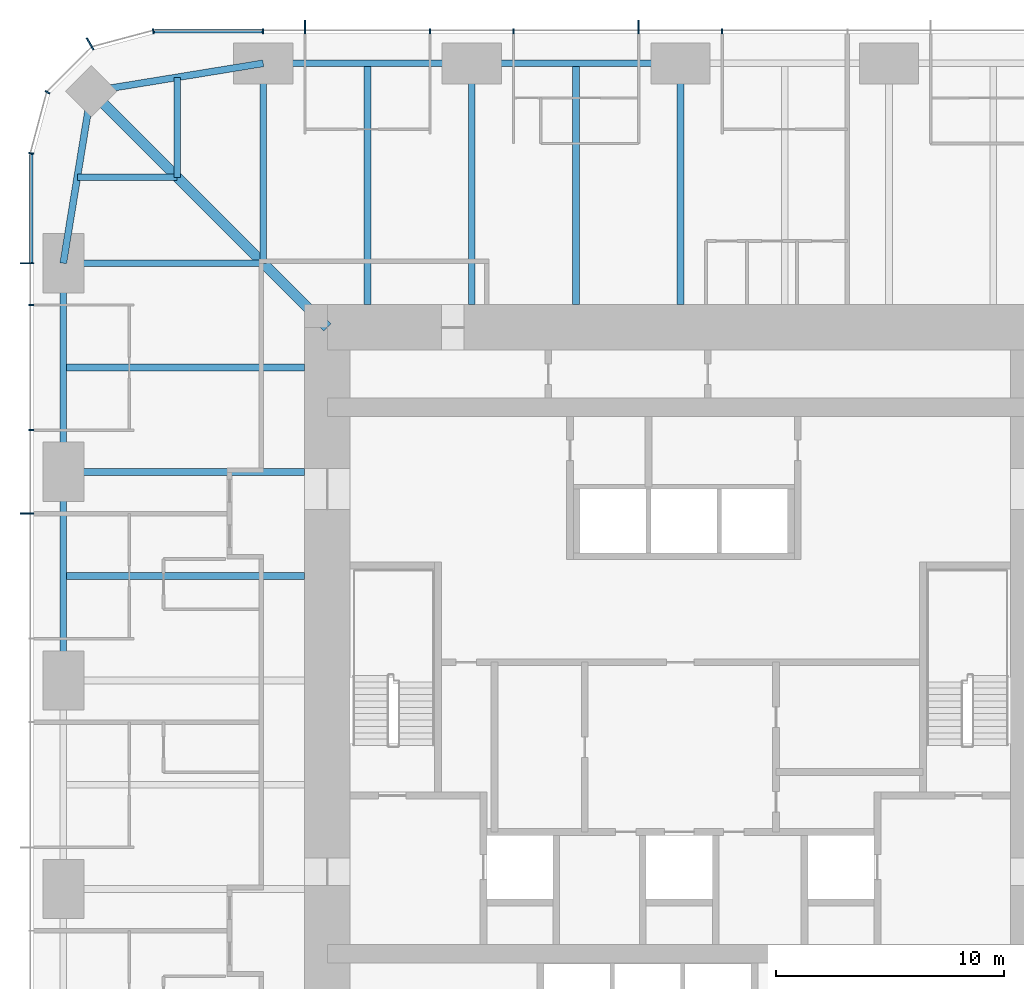
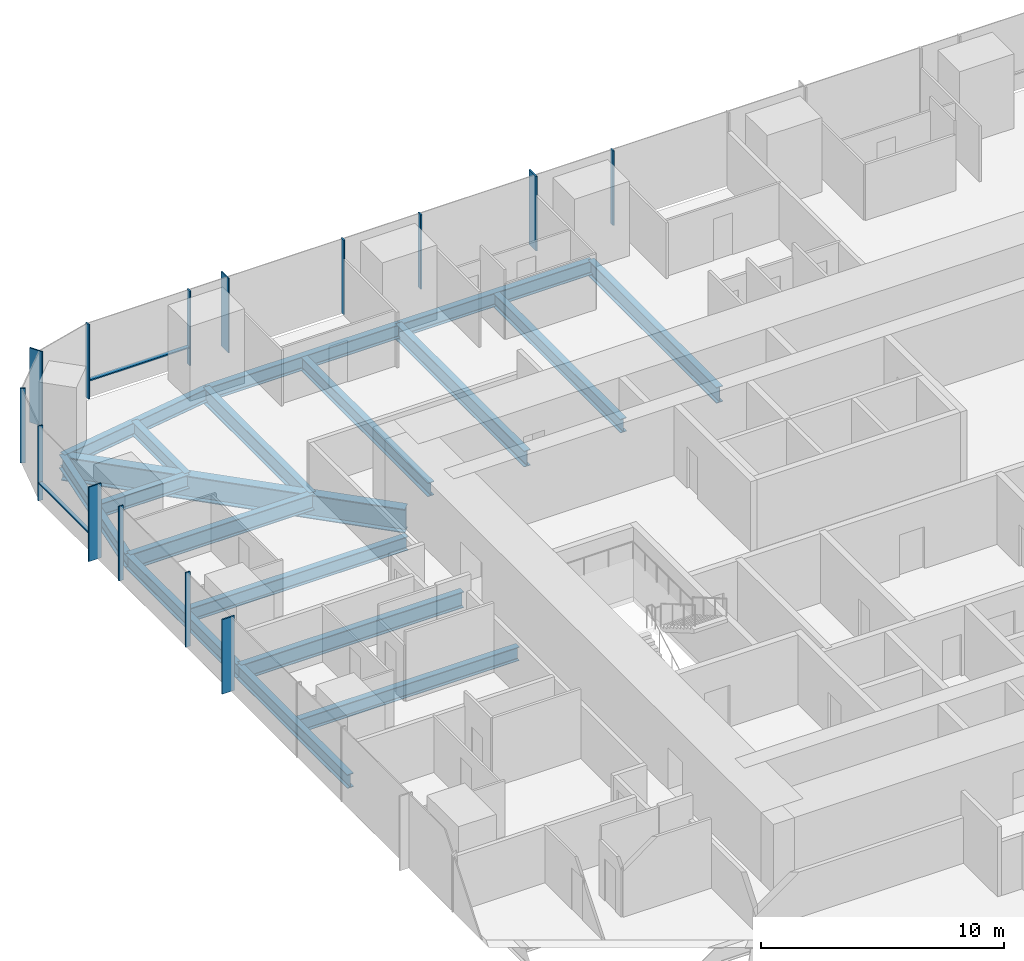
# One storey, part 5 of 13: 18 beams, 16 members, 3 elements without a shape of their own.
"""IFC4 building model written with IfcOpenShell, lengths in metres."""

from ifc_helpers import new_model, si_unit, direction, frame, origin, origin_2d, place, context, subcontext, project, spatial, rectangle, i_section, extrude, material, material_profile, profile_set, type_object, element, aggregate, save


model = new_model("IFC4")

# Units and contexts
model_context = context("Model", 3, precision=1e-05, world=origin(), true_north=direction((0.0, 1.0)))
body_context = subcontext(model_context, "Body", "Model", "MODEL_VIEW")
ifc_project = project(units=[si_unit("LENGTHUNIT", "METRE"), si_unit("AREAUNIT", "SQUARE_METRE"), si_unit("VOLUMEUNIT", "CUBIC_METRE"), si_unit("PLANEANGLEUNIT", "RADIAN"), si_unit("MASSUNIT", "GRAM", prefix="KILO")], contexts=[model_context])

# Site, building, storey
site_placement = place(None, origin())
site = spatial("IfcSite", under=ifc_project, at=site_placement, CompositionType="ELEMENT")
building_placement = place(site_placement, origin())
building = spatial("IfcBuilding", under=site, at=building_placement, Name="Khuree Lantern Residences", CompositionType="ELEMENT")
storey_placement = place(building_placement, frame((0.0, 0.0, 159.75)))
storey = spatial("IfcBuildingStorey", under=building, at=storey_placement, Name="L40", CompositionType="ELEMENT", Elevation=159.75)

# Beams
ifc_material_1 = material(Name="Steel S355", Category="steel")
ifc_material_profile_1 = material_profile(ifc_material_1, i_section(OverallWidth=0.300048828125, OverallDepth=0.68994140625, WebThickness=0.014404296875, FlangeThickness=0.027099609375, FilletRadius=0.027099609375, at=origin_2d()), Name="HE 700 A")
ifc_profile_set_1 = profile_set([ifc_material_profile_1], Name="Steel S355")
beam_type_1 = type_object("IfcBeamType", Name="B-24 SECONDARY BEAM HE 700 A", PredefinedType="BEAM", material=ifc_profile_set_1)
for number, where, z_axis, x_axis, name in (
    (1, (-13.739990234375, 27.10009765625, -0.594970703125), (0.0, -1.0, 0.0), (1.0, 0.0, 0.0), "Secondary beam N1"),
    (2, (-4.580078125, 27.10009765625, -0.594970703125), (0.0, -1.0, 0.0), (1.0, 0.0, 0.0), "Secondary beam N2"),
    (3, (-27.10009765625, 4.580078125, -0.594970703125), (1.0, 0.0, 0.0), (0.0, 1.0, 0.0), "Secondary beam W4"),
    (4, (-27.10009765625, 13.739990234375, -0.594970703125), (1.0, 0.0, 0.0), (0.0, 1.0, 0.0), "Secondary beam W5"),
):
    element("IfcBeam", number, at=place(storey_placement, frame(where, z_axis=z_axis, x_axis=x_axis)), inside=storey, type_object=beam_type_1, Name=name, PredefinedType="BEAM", context=body_context, shape_type="SweptSolid", body=[
        extrude(i_section(OverallWidth=0.300048828125, OverallDepth=0.68994140625, WebThickness=0.014404296875, FlangeThickness=0.027099609375, FilletRadius=0.027099609375, at=origin_2d()), origin(), (0.0, 0.0, 1.0), 10.60009765625),
    ])
for number, where, z_axis, x_axis, name in (
    (5, (-26.48486328125, 22.094970703125, -0.594970703125), (1.0, 0.0, 0.0), (0.0, 1.0, 0.0), "Secondary beam W6"),
    (6, (-22.094970703125, 26.48486328125, -0.594970703125), (0.0, -1.0, 0.0), (1.0, 0.0, 0.0), "Secondary beam N6"),
):
    element("IfcBeam", number, at=place(storey_placement, frame(where, z_axis=z_axis, x_axis=x_axis)), inside=storey, type_object=beam_type_1, Name=name, PredefinedType="BEAM", context=body_context, shape_type="SweptSolid", body=[
        extrude(i_section(OverallWidth=0.300048828125, OverallDepth=0.68994140625, WebThickness=0.014404296875, FlangeThickness=0.027099609375, FilletRadius=0.027099609375, at=origin_2d()), origin(), (0.0, 0.0, 1.0), 4.389892578125),
    ])
ifc_material_profile_2 = material_profile(ifc_material_1, i_section(OverallWidth=0.300048828125, OverallDepth=0.68994140625, WebThickness=0.014404296875, FlangeThickness=0.027099609375, FilletRadius=0.027099609375, at=origin_2d()), Name="HE 700 A")
ifc_profile_set_2 = profile_set([ifc_material_profile_2], Name="Steel S355")
beam_type_2 = type_object("IfcBeamType", Name="E-24 SPANDREL BEAM HE 700 A", PredefinedType="SPANDREL", material=ifc_profile_set_2)
beam_1_placement = place(storey_placement, frame((-18.320068359375, 27.10009765625, -0.594970703125), z_axis=(1.0, 0.0, 0.0), x_axis=(0.0, 1.0, 0.0)))
element("IfcBeam", 7, at=beam_1_placement, inside=storey, type_object=beam_type_2, Name="Spandrel beam N1", PredefinedType="SPANDREL", context=body_context, shape_type="SweptSolid", body=[
    extrude(i_section(OverallWidth=0.300048828125, OverallDepth=0.68994140625, WebThickness=0.014404296875, FlangeThickness=0.027099609375, FilletRadius=0.027099609375, at=origin_2d()), origin(), (0.0, 0.0, 1.0), 9.16015625),
])
for number, where, z_axis, x_axis, name in (
    (8, (-9.159912109375, 27.10009765625, -0.594970703125), (1.0, 0.0, 0.0), (0.0, 1.0, 0.0), "Spandrel beam N2"),
    (9, (-27.10009765625, 0.0, -0.594970703125), (0.0, 1.0, 0.0), (-1.0, 0.0, 0.0), "Spandrel beam W4"),
):
    element("IfcBeam", number, at=place(storey_placement, frame(where, z_axis=z_axis, x_axis=x_axis)), inside=storey, type_object=beam_type_2, Name=name, PredefinedType="SPANDREL", context=body_context, shape_type="SweptSolid", body=[
        extrude(i_section(OverallWidth=0.300048828125, OverallDepth=0.68994140625, WebThickness=0.014404296875, FlangeThickness=0.027099609375, FilletRadius=0.027099609375, at=origin_2d()), origin(), (0.0, 0.0, 1.0), 9.159912109375),
    ])
beam_2_placement = place(storey_placement, frame((-27.10009765625, 9.159912109375, -0.594970703125), z_axis=(0.0, 1.0, 0.0), x_axis=(-1.0, 0.0, 0.0)))
element("IfcBeam", 10, at=beam_2_placement, inside=storey, type_object=beam_type_2, Name="Spandrel beam W5", PredefinedType="SPANDREL", context=body_context, shape_type="SweptSolid", body=[
    extrude(i_section(OverallWidth=0.300048828125, OverallDepth=0.68994140625, WebThickness=0.014404296875, FlangeThickness=0.027099609375, FilletRadius=0.027099609375, at=origin_2d()), origin(), (0.0, 0.0, 1.0), 9.16015625),
])
for number, where, z_axis, x_axis, name in (
    (11, (-27.10009765625, 18.320068359375, -0.594970703125), (0.160826723833, 0.986982656839, 0.0), (-0.986982656839, 0.160826723833, 0.0), "Spandrel beam W6"),
    (12, (-25.869873046875, 25.869873046875, -0.594970703125), (0.986982656839, 0.160826723833, 0.0), (-0.160826723833, 0.986982656839, 0.0), "Spandrel beam N6"),
):
    element("IfcBeam", number, at=place(storey_placement, frame(where, z_axis=z_axis, x_axis=x_axis)), inside=storey, type_object=beam_type_2, Name=name, PredefinedType="SPANDREL", context=body_context, shape_type="SweptSolid", body=[
        extrude(i_section(OverallWidth=0.300048828125, OverallDepth=0.68994140625, WebThickness=0.014404296875, FlangeThickness=0.027099609375, FilletRadius=0.027099609375, at=origin_2d()), origin(), (0.0, 0.0, 1.0), 7.6494140625),
    ])

# Curtain wall, members
ifc_material_2 = material(Name="Bronze anodised aluminium", Category="aluminium")
curtain_wall_type_1 = type_object("IfcCurtainWallType", Name="CW-T1 TOWER FACE CURTAIN WALL", PredefinedType="USERDEFINED", material=ifc_material_2)
curtain_wall_1_placement = place(storey_placement, origin())
curtain_wall_1 = element("IfcCurtainWall", 13, at=curtain_wall_1_placement, inside=storey, type_object=curtain_wall_type_1, Name="L40 NORTH FACE CURTAIN WALL", ObjectType="Stick-built curtain wall", PredefinedType="USERDEFINED")
ifc_material_profile_3 = material_profile(ifc_material_2, rectangle(XDim=0.06494140625, YDim=0.60009765625, at=origin_2d()), Name="F1 65X600")
ifc_profile_set_3 = profile_set([ifc_material_profile_3], Name="Bronze anodised aluminium")
member_type_1 = type_object("IfcMemberType", Name="F1 BRONZE FIN MULLION TOWER 65X600", PredefinedType="MULLION", material=ifc_profile_set_3)
member_1_placement = place(storey_placement, frame((-1.83203125, 28.699951171875, 0.0), z_axis=(0.0, 0.0, 1.0), x_axis=(-1.0, 0.0, 0.0)))
member_1 = element("IfcMember", 14, at=member_1_placement, type_object=member_type_1, Name="L40 NORTH FACE FIN MULLION 24", PredefinedType="MULLION", context=body_context, shape_type="SweptSolid", body=[
    extrude(rectangle(XDim=0.06494140625, YDim=0.60009765625, at=origin_2d()), origin(), (0.0, 0.0, 1.0), 3.75),
])
member_2_placement = place(storey_placement, frame((-16.488037109375, 28.699951171875, 0.0), z_axis=(0.0, 0.0, 1.0), x_axis=(-1.0, 0.0, 0.0)))
member_2 = element("IfcMember", 15, at=member_2_placement, type_object=member_type_1, Name="L40 NORTH FACE FIN MULLION 27", PredefinedType="MULLION", context=body_context, shape_type="SweptSolid", body=[
    extrude(rectangle(XDim=0.06494140625, YDim=0.60009765625, at=origin_2d()), origin(), (0.0, 0.0, 1.0), 3.75),
])

# Curtain wall, member
curtain_wall_type_2 = type_object("IfcCurtainWallType", Name="CW-T2 TOWER CORNER CURTAIN WALL", PredefinedType="USERDEFINED", material=ifc_material_2)
curtain_wall_2_placement = place(storey_placement, origin())
curtain_wall_2 = element("IfcCurtainWall", 16, at=curtain_wall_2_placement, inside=storey, type_object=curtain_wall_type_2, Name="L40 NORTH-WEST CORNER CURTAIN WALL", ObjectType="Faceted corner curtain wall", PredefinedType="USERDEFINED")
member_3_placement = place(storey_placement, frame((-25.925048828125, 27.95654296875, 0.0), z_axis=(0.0, 0.0, 1.0), x_axis=(-0.866025388199, -0.500000026995, 0.0)))
member_3 = element("IfcMember", 17, at=member_3_placement, type_object=member_type_1, Name="L40 NORTH-WEST CORNER FIN MULLION 30", PredefinedType="MULLION", context=body_context, shape_type="SweptSolid", body=[
    extrude(rectangle(XDim=0.06494140625, YDim=0.60009765625, at=origin_2d()), origin(), (0.0, 0.0, 1.0), 3.75),
])

# Curtain wall, members
curtain_wall_3_placement = place(storey_placement, origin())
curtain_wall_3 = element("IfcCurtainWall", 18, at=curtain_wall_3_placement, inside=storey, type_object=curtain_wall_type_1, Name="L40 WEST FACE CURTAIN WALL", ObjectType="Stick-built curtain wall", PredefinedType="USERDEFINED")
member_4_placement = place(storey_placement, frame((-28.699951171875, 18.320068359375, 0.0), z_axis=(0.0, 0.0, 1.0), x_axis=(0.0, -1.0, 0.0)))
member_4 = element("IfcMember", 19, at=member_4_placement, type_object=member_type_1, Name="L40 WEST FACE FIN MULLION 33", PredefinedType="MULLION", context=body_context, shape_type="SweptSolid", body=[
    extrude(rectangle(XDim=0.06494140625, YDim=0.60009765625, at=origin_2d()), origin(), (0.0, 0.0, 1.0), 3.75),
])
member_5_placement = place(storey_placement, frame((-28.699951171875, 7.327880859375, 0.0), z_axis=(0.0, 0.0, 1.0), x_axis=(0.0, -1.0, 0.0)))
member_5 = element("IfcMember", 20, at=member_5_placement, type_object=member_type_1, Name="L40 WEST FACE FIN MULLION 36", PredefinedType="MULLION", context=body_context, shape_type="SweptSolid", body=[
    extrude(rectangle(XDim=0.06494140625, YDim=0.60009765625, at=origin_2d()), origin(), (0.0, 0.0, 1.0), 3.75),
])

# Beams
ifc_material_profile_4 = material_profile(ifc_material_1, i_section(OverallWidth=0.300048828125, OverallDepth=0.800048828125, WebThickness=0.017578125, FlangeThickness=0.032958984375, FilletRadius=0.030029296875, at=origin_2d()), Name="HE 800 B")
ifc_profile_set_4 = profile_set([ifc_material_profile_4], Name="Steel S355")
beam_type_3 = type_object("IfcBeamType", Name="G-24 GIRDER HE 800 B", PredefinedType="BEAM", material=ifc_profile_set_4)
beam_3_placement = place(storey_placement, frame((-18.320068359375, 27.10009765625, -0.64990234375), z_axis=(0.0, -1.0, 0.0), x_axis=(1.0, 0.0, 0.0)))
element("IfcBeam", 21, at=beam_3_placement, inside=storey, type_object=beam_type_3, Name="Girder N1", PredefinedType="BEAM", context=body_context, shape_type="SweptSolid", body=[
    extrude(i_section(OverallWidth=0.300048828125, OverallDepth=0.800048828125, WebThickness=0.017578125, FlangeThickness=0.032958984375, FilletRadius=0.030029296875, at=origin_2d()), origin(), (0.0, 0.0, 1.0), 8.780029296875),
])
for number, where, z_axis, x_axis, name in (
    (22, (-9.159912109375, 27.10009765625, -0.64990234375), (0.0, -1.0, 0.0), (1.0, 0.0, 0.0), "Girder N2"),
    (23, (0.0, 27.10009765625, -0.64990234375), (0.0, -1.0, 0.0), (1.0, 0.0, 0.0), "Girder N3"),
    (24, (-27.10009765625, 9.159912109375, -0.64990234375), (1.0, 0.0, 0.0), (0.0, 1.0, 0.0), "Girder W4"),
):
    element("IfcBeam", number, at=place(storey_placement, frame(where, z_axis=z_axis, x_axis=x_axis)), inside=storey, type_object=beam_type_3, Name=name, PredefinedType="BEAM", context=body_context, shape_type="SweptSolid", body=[
        extrude(i_section(OverallWidth=0.300048828125, OverallDepth=0.800048828125, WebThickness=0.017578125, FlangeThickness=0.032958984375, FilletRadius=0.030029296875, at=origin_2d()), origin(), (0.0, 0.0, 1.0), 10.60009765625),
    ])
beam_4_placement = place(storey_placement, frame((-27.10009765625, 18.320068359375, -0.64990234375), z_axis=(1.0, 0.0, 0.0), x_axis=(0.0, 1.0, 0.0)))
element("IfcBeam", 25, at=beam_4_placement, inside=storey, type_object=beam_type_3, Name="Girder W5", PredefinedType="BEAM", context=body_context, shape_type="SweptSolid", body=[
    extrude(i_section(OverallWidth=0.300048828125, OverallDepth=0.800048828125, WebThickness=0.017578125, FlangeThickness=0.032958984375, FilletRadius=0.030029296875, at=origin_2d()), origin(), (0.0, 0.0, 1.0), 8.780029296875),
])
ifc_material_profile_5 = material_profile(ifc_material_1, i_section(OverallWidth=0.449951171875, OverallDepth=1.199951171875, WebThickness=0.02490234375, FlangeThickness=0.044921875, at=origin_2d()), Name="WELDED I 1200X450X25X45")
ifc_profile_set_5 = profile_set([ifc_material_profile_5], Name="Steel S355")
beam_type_4 = type_object("IfcBeamType", Name="GD-24 CORNER GIRDER WELDED I 1200X450X25X45", PredefinedType="BEAM", material=ifc_profile_set_5)
beam_5_placement = place(storey_placement, frame((-25.869873046875, 25.869873046875, -0.85009765625), z_axis=(0.707106781187, -0.707106781187, 0.0), x_axis=(0.707106781187, 0.707106781187, 0.0)))
element("IfcBeam", 26, at=beam_5_placement, inside=storey, type_object=beam_type_4, Name="Corner girder NW", PredefinedType="BEAM", context=body_context, shape_type="SweptSolid", body=[
    extrude(i_section(OverallWidth=0.449951171875, OverallDepth=1.199951171875, WebThickness=0.02490234375, FlangeThickness=0.044921875, at=origin_2d()), origin(), (0.0, 0.0, 1.0), 14.665283203125),
])

# Member
ifc_material_profile_6 = material_profile(ifc_material_2, rectangle(XDim=0.06494140625, YDim=0.219970703125, at=origin_2d()), Name="M1 65X220")
ifc_profile_set_6 = profile_set([ifc_material_profile_6], Name="Bronze anodised aluminium")
member_type_2 = type_object("IfcMemberType", Name="M1 BRONZE MULLION TOWER 65X220", PredefinedType="MULLION", material=ifc_profile_set_6)
member_6_placement = place(storey_placement, frame((1.83203125, 28.510009765625, 0.0), z_axis=(0.0, 0.0, 1.0), x_axis=(-1.0, 0.0, 0.0)))
member_6 = element("IfcMember", 27, at=member_6_placement, type_object=member_type_2, Name="L40 NORTH FACE MULLION 23", PredefinedType="MULLION", context=body_context, shape_type="SweptSolid", body=[
    extrude(rectangle(XDim=0.06494140625, YDim=0.219970703125, at=origin_2d()), origin(), (0.0, 0.0, 1.0), 3.75),
])

member_7_placement = place(storey_placement, frame((-7.327880859375, 28.510009765625, 0.0), z_axis=(0.0, 0.0, 1.0), x_axis=(-1.0, 0.0, 0.0)))
member_7 = element("IfcMember", 28, at=member_7_placement, type_object=member_type_2, Name="L40 NORTH FACE MULLION 25", PredefinedType="MULLION", context=body_context, shape_type="SweptSolid", body=[
    extrude(rectangle(XDim=0.06494140625, YDim=0.219970703125, at=origin_2d()), origin(), (0.0, 0.0, 1.0), 3.75),
])

member_8_placement = place(storey_placement, frame((-10.991943359375, 28.510009765625, 0.0), z_axis=(0.0, 0.0, 1.0), x_axis=(-1.0, 0.0, 0.0)))
member_8 = element("IfcMember", 29, at=member_8_placement, type_object=member_type_2, Name="L40 NORTH FACE MULLION 26", PredefinedType="MULLION", context=body_context, shape_type="SweptSolid", body=[
    extrude(rectangle(XDim=0.06494140625, YDim=0.219970703125, at=origin_2d()), origin(), (0.0, 0.0, 1.0), 3.75),
])

member_9_placement = place(storey_placement, frame((-18.320068359375, 28.510009765625, 0.0), z_axis=(0.0, 0.0, 1.0), x_axis=(-1.0, 0.0, 0.0)))
member_9 = element("IfcMember", 30, at=member_9_placement, type_object=member_type_2, Name="L40 NORTH FACE MULLION 28", PredefinedType="MULLION", context=body_context, shape_type="SweptSolid", body=[
    extrude(rectangle(XDim=0.06494140625, YDim=0.219970703125, at=origin_2d()), origin(), (0.0, 0.0, 1.0), 3.75),
])

member_10_placement = place(storey_placement, frame((-23.14501953125, 28.51171875, 0.0), z_axis=(0.0, 0.0, 1.0), x_axis=(-0.991444857305, -0.130526223125, 0.0)))
member_10 = element("IfcMember", 31, at=member_10_placement, type_object=member_type_2, Name="L40 NORTH-WEST CORNER MULLION 29", PredefinedType="MULLION", context=body_context, shape_type="SweptSolid", body=[
    extrude(rectangle(XDim=0.06494140625, YDim=0.219970703125, at=origin_2d()), origin(), (0.0, 0.0, 1.0), 3.75),
])

member_11_placement = place(storey_placement, frame((-27.7919921875, 25.830078125, 0.0), z_axis=(0.0, 0.0, 1.0), x_axis=(-0.500000026995, -0.866025388199, 0.0)))
member_11 = element("IfcMember", 32, at=member_11_placement, type_object=member_type_2, Name="L40 NORTH-WEST CORNER MULLION 31", PredefinedType="MULLION", context=body_context, shape_type="SweptSolid", body=[
    extrude(rectangle(XDim=0.06494140625, YDim=0.219970703125, at=origin_2d()), origin(), (0.0, 0.0, 1.0), 3.75),
])

aggregate(curtain_wall_2, [member_10, member_3, member_11])

member_12_placement = place(storey_placement, frame((-28.51171875, 23.14501953125, 0.0), z_axis=(0.0, 0.0, 1.0), x_axis=(-0.130526223125, -0.991444857305, 0.0)))
member_12 = element("IfcMember", 33, at=member_12_placement, type_object=member_type_2, Name="L40 WEST FACE MULLION 32", PredefinedType="MULLION", context=body_context, shape_type="SweptSolid", body=[
    extrude(rectangle(XDim=0.06494140625, YDim=0.219970703125, at=origin_2d()), origin(), (0.0, 0.0, 1.0), 3.75),
])

member_13_placement = place(storey_placement, frame((-28.510009765625, 16.488037109375, 0.0), z_axis=(0.0, 0.0, 1.0), x_axis=(0.0, -1.0, 0.0)))
member_13 = element("IfcMember", 34, at=member_13_placement, type_object=member_type_2, Name="L40 WEST FACE MULLION 34", PredefinedType="MULLION", context=body_context, shape_type="SweptSolid", body=[
    extrude(rectangle(XDim=0.06494140625, YDim=0.219970703125, at=origin_2d()), origin(), (0.0, 0.0, 1.0), 3.75),
])

member_14_placement = place(storey_placement, frame((-28.510009765625, 10.991943359375, 0.0), z_axis=(0.0, 0.0, 1.0), x_axis=(0.0, -1.0, 0.0)))
member_14 = element("IfcMember", 35, at=member_14_placement, type_object=member_type_2, Name="L40 WEST FACE MULLION 35", PredefinedType="MULLION", context=body_context, shape_type="SweptSolid", body=[
    extrude(rectangle(XDim=0.06494140625, YDim=0.219970703125, at=origin_2d()), origin(), (0.0, 0.0, 1.0), 3.75),
])

ifc_material_profile_7 = material_profile(ifc_material_2, rectangle(XDim=0.179931640625, YDim=0.06494140625, at=origin_2d()), Name="T1 180X65")
ifc_profile_set_7 = profile_set([ifc_material_profile_7], Name="Bronze anodised aluminium")
member_type_3 = type_object("IfcMemberType", Name="TRANSOM T1 TOWER 180X65", PredefinedType="USERDEFINED", material=ifc_profile_set_7)
member_15_placement = place(storey_placement, frame((-18.3525390625, 28.52001953125, 0.89990234375), z_axis=(-1.0, 0.0, 0.0), x_axis=(0.0, -1.0, 0.0)))
member_15 = element("IfcMember", 36, at=member_15_placement, type_object=member_type_3, Name="L40 NORTH FACE TRANSOM 28.1", ObjectType="Transom", PredefinedType="USERDEFINED", context=body_context, shape_type="SweptSolid", body=[
    extrude(rectangle(XDim=0.179931640625, YDim=0.06494140625, at=origin_2d()), origin(), (0.0, 0.0, 1.0), 4.748779296875),
])

aggregate(curtain_wall_1, [member_6, member_1, member_7, member_8, member_2, member_9, member_15])

member_16_placement = place(storey_placement, frame((-28.52001953125, 23.101318359375, 0.89990234375), z_axis=(0.0, -1.0, 0.0), x_axis=(1.0, 0.0, 0.0)))
member_16 = element("IfcMember", 37, at=member_16_placement, type_object=member_type_3, Name="L40 WEST FACE TRANSOM 32.1", ObjectType="Transom", PredefinedType="USERDEFINED", context=body_context, shape_type="SweptSolid", body=[
    extrude(rectangle(XDim=0.179931640625, YDim=0.06494140625, at=origin_2d()), origin(), (0.0, 0.0, 1.0), 4.748779296875),
])

aggregate(curtain_wall_3, [member_12, member_4, member_13, member_14, member_5, member_16])

save(model, "model.ifc")
